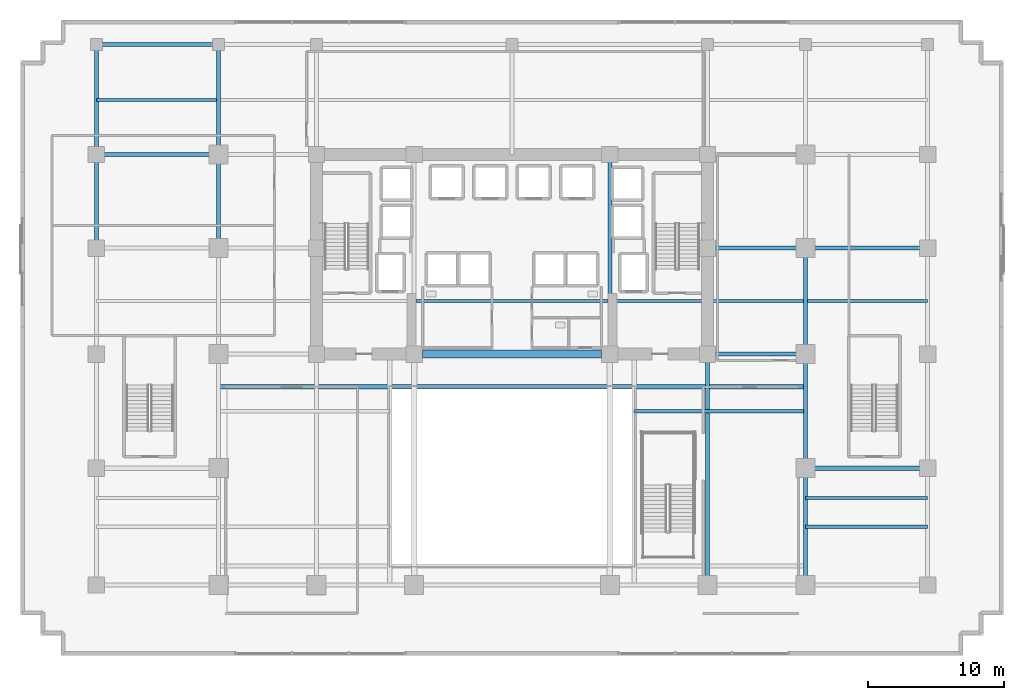
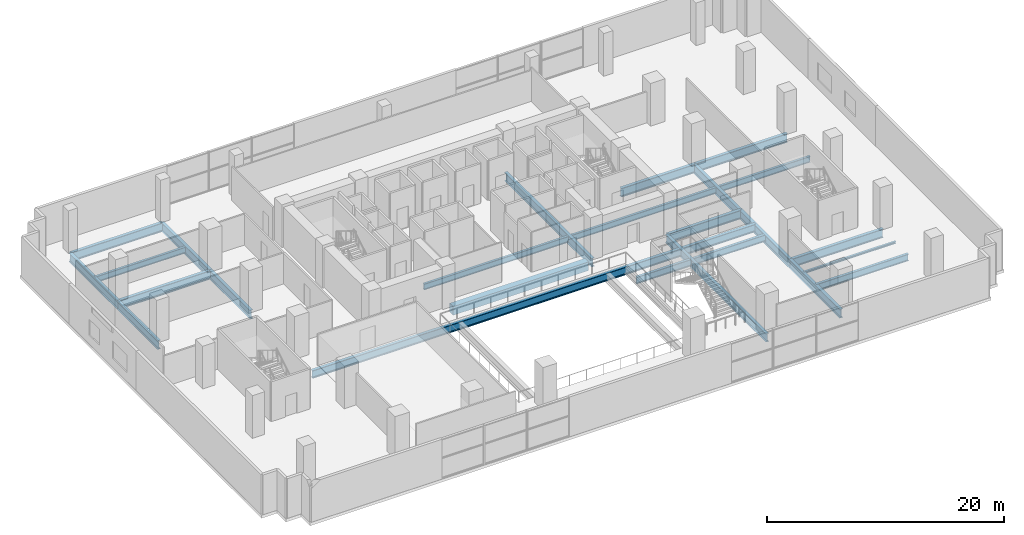
# One storey, part 7 of 21: 24 beams.
"""IFC4 building model written with IfcOpenShell, lengths in metres."""

from ifc_helpers import new_model, si_unit, direction, frame, origin, origin_2d, place, context, subcontext, project, spatial, rectangle, i_section, extrude, material, material_profile, profile_set, type_object, element, save


model = new_model("IFC4")

# Units and contexts
model_context = context("Model", 3, precision=1e-05, world=origin(), true_north=direction((0.0, 1.0)))
body_context = subcontext(model_context, "Body", "Model", "MODEL_VIEW")
ifc_project = project(units=[si_unit("LENGTHUNIT", "METRE"), si_unit("AREAUNIT", "SQUARE_METRE"), si_unit("VOLUMEUNIT", "CUBIC_METRE"), si_unit("PLANEANGLEUNIT", "RADIAN"), si_unit("MASSUNIT", "GRAM", prefix="KILO")], contexts=[model_context])

# Site, building, storey
site_placement = place(None, origin())
site = spatial("IfcSite", under=ifc_project, at=site_placement, CompositionType="ELEMENT")
building_placement = place(site_placement, origin())
building = spatial("IfcBuilding", under=site, at=building_placement, Name="Zarnakvel Exchange Tower", CompositionType="ELEMENT")
storey_placement = place(building_placement, frame((0.0, 0.0, 18.199951171875)))
storey = spatial("IfcBuildingStorey", under=building, at=storey_placement, Name="L04", CompositionType="ELEMENT", Elevation=18.199951171875)

# Beams
ifc_material_1 = material(Name="Steel S355", Category="steel")
ifc_material_profile_1 = material_profile(ifc_material_1, i_section(OverallWidth=0.255859375, OverallDepth=0.69287109375, WebThickness=0.014404296875, FlangeThickness=0.023681640625, FilletRadius=0.01513671875, at=origin_2d()))
ifc_profile_set_1 = profile_set([ifc_material_profile_1], Name="Steel S355")
beam_type_1 = type_object("IfcBeamType", Name="B-01", PredefinedType="JOIST", material=ifc_profile_set_1)
beam_1_placement = place(storey_placement, frame((21.60009765625, -13.89990234375, -0.646484375), z_axis=(1.0, 0.0, 0.0), x_axis=(0.0, 1.0, 0.0)))
element("IfcBeam", 1, at=beam_1_placement, inside=storey, type_object=beam_type_1, Name="L04 Podium Wing Secondary Joist East", PredefinedType="JOIST", context=body_context, shape_type="SweptSolid", body=[
    extrude(i_section(OverallWidth=0.255859375, OverallDepth=0.69287109375, WebThickness=0.014404296875, FlangeThickness=0.023681640625, FilletRadius=0.01513671875, at=origin_2d()), origin(), (0.0, 0.0, 1.0), 9.0),
])
beam_2_placement = place(storey_placement, frame((9.0, -5.39990234375, -0.646484375), z_axis=(1.0, 0.0, 0.0), x_axis=(0.0, 1.0, 0.0)))
element("IfcBeam", 2, at=beam_2_placement, inside=storey, type_object=beam_type_1, Name="L04 Exchange Hall Atrium Trimmer East", PredefinedType="JOIST", context=body_context, shape_type="SweptSolid", body=[
    extrude(i_section(OverallWidth=0.255859375, OverallDepth=0.69287109375, WebThickness=0.014404296875, FlangeThickness=0.023681640625, FilletRadius=0.01513671875, at=origin_2d()), origin(), (0.0, 0.0, 1.0), 12.60009765625),
])
ifc_material_profile_2 = material_profile(ifc_material_1, i_section(OverallWidth=0.230224609375, OverallDepth=0.6171875, WebThickness=0.01318359375, FlangeThickness=0.022216796875, FilletRadius=0.0126953125, at=origin_2d()))
ifc_profile_set_2 = profile_set([ifc_material_profile_2], Name="Steel S355")
beam_type_2 = type_object("IfcBeamType", Name="B-02", PredefinedType="JOIST", material=ifc_profile_set_2)
beam_3_placement = place(storey_placement, frame((-7.050048828125, 2.699951171875, -0.608642578125), z_axis=(1.0, 0.0, 0.0), x_axis=(0.0, 1.0, 0.0)))
element("IfcBeam", 3, at=beam_3_placement, inside=storey, type_object=beam_type_2, Name="L04 Secondary Floor Joist", PredefinedType="JOIST", context=body_context, shape_type="SweptSolid", body=[
    extrude(i_section(OverallWidth=0.230224609375, OverallDepth=0.6171875, WebThickness=0.01318359375, FlangeThickness=0.022216796875, FilletRadius=0.0126953125, at=origin_2d()), origin(), (0.0, 0.0, 1.0), 14.10009765625),
])
beam_4_placement = place(storey_placement, frame((7.35009765625, 2.699951171875, -0.608642578125), z_axis=(1.0, 0.0, 0.0), x_axis=(0.0, 1.0, 0.0)))
element("IfcBeam", 4, at=beam_4_placement, inside=storey, type_object=beam_type_2, Name="L04 Secondary Floor Joist", PredefinedType="JOIST", context=body_context, shape_type="SweptSolid", body=[
    extrude(i_section(OverallWidth=0.230224609375, OverallDepth=0.6171875, WebThickness=0.01318359375, FlangeThickness=0.022216796875, FilletRadius=0.0126953125, at=origin_2d()), origin(), (0.0, 0.0, 1.0), 14.099853515625),
])
for number, where, z_axis, x_axis, name in (
    (5, (21.75, 2.699951171875, -0.608642578125), (1.0, 0.0, 0.0), (0.0, 1.0, 0.0), "L04 Secondary Floor Joist"),
    (6, (-30.60009765625, 17.5, -0.608642578125), (1.0, 0.0, 0.0), (0.0, 1.0, 0.0), "L04 North Bay Secondary Floor Joist"),
):
    element("IfcBeam", number, at=place(storey_placement, frame(where, z_axis=z_axis, x_axis=x_axis)), inside=storey, type_object=beam_type_2, Name=name, PredefinedType="JOIST", context=body_context, shape_type="SweptSolid", body=[
        extrude(i_section(OverallWidth=0.230224609375, OverallDepth=0.6171875, WebThickness=0.01318359375, FlangeThickness=0.022216796875, FilletRadius=0.0126953125, at=origin_2d()), origin(), (0.0, 0.0, 1.0), 8.85009765625),
    ])
ifc_material_2 = material(Name="Concrete C80/95", Category="concrete")
ifc_material_profile_3 = material_profile(ifc_material_2, rectangle(XDim=0.60009765625, YDim=0.89990234375, at=origin_2d()))
ifc_profile_set_3 = profile_set([ifc_material_profile_3], Name="Concrete C80/95")
beam_type_3 = type_object("IfcBeamType", Name="CB-01", PredefinedType="LINTEL", material=ifc_profile_set_3)
beam_5_placement = place(storey_placement, frame((-6.60009765625, -1.199951171875, -0.75), z_axis=(1.0, 0.0, 0.0), x_axis=(0.0, 1.0, 0.0)))
element("IfcBeam", 7, at=beam_5_placement, inside=storey, type_object=beam_type_3, Name="L04 Rear Core South Coupling Beam (CB-01)", PredefinedType="LINTEL", context=body_context, shape_type="SweptSolid", body=[
    extrude(rectangle(XDim=0.60009765625, YDim=0.89990234375, at=origin_2d()), origin(), (0.0, 0.0, 1.0), 13.2001953125),
])
ifc_material_profile_4 = material_profile(ifc_material_1, i_section(OverallWidth=0.300048828125, OverallDepth=0.89990234375, WebThickness=0.0185546875, FlangeThickness=0.034912109375, FilletRadius=0.030029296875, at=origin_2d()))
ifc_profile_set_4 = profile_set([ifc_material_profile_4], Name="Steel S355")
beam_type_4 = type_object("IfcBeamType", Name="G-01", PredefinedType="BEAM", material=ifc_profile_set_4)
beam_6_placement = place(storey_placement, frame((21.60009765625, -9.60009765625, -0.75), z_axis=(1.0, 0.0, 0.0), x_axis=(0.0, 1.0, 0.0)))
element("IfcBeam", 8, at=beam_6_placement, inside=storey, type_object=beam_type_4, Name="L04 Primary E-W Girder Y=-9.6", PredefinedType="BEAM", context=body_context, shape_type="SweptSolid", body=[
    extrude(i_section(OverallWidth=0.300048828125, OverallDepth=0.89990234375, WebThickness=0.0185546875, FlangeThickness=0.034912109375, FilletRadius=0.030029296875, at=origin_2d()), origin(), (0.0, 0.0, 1.0), 9.0),
])
for number, where, z_axis, x_axis, name in (
    (9, (14.39990234375, -1.199951171875, -0.75), (1.0, 0.0, 0.0), (0.0, 1.0, 0.0), "L04 Primary E-W Girder Y=-1.2"),
    (10, (14.39990234375, 6.60009765625, -0.75), (1.0, 0.0, 0.0), (0.0, 1.0, 0.0), "L04 Primary E-W Girder Y=+6.6"),
):
    element("IfcBeam", number, at=place(storey_placement, frame(where, z_axis=z_axis, x_axis=x_axis)), inside=storey, type_object=beam_type_4, Name=name, PredefinedType="BEAM", context=body_context, shape_type="SweptSolid", body=[
        extrude(i_section(OverallWidth=0.300048828125, OverallDepth=0.89990234375, WebThickness=0.0185546875, FlangeThickness=0.034912109375, FilletRadius=0.030029296875, at=origin_2d()), origin(), (0.0, 0.0, 1.0), 7.2001953125),
    ])
for number, where, z_axis, x_axis, name in (
    (11, (21.60009765625, 6.60009765625, -0.75), (1.0, 0.0, 0.0), (0.0, 1.0, 0.0), "L04 Primary E-W Girder Y=+6.6"),
    (12, (-30.60009765625, 13.5, -0.75), (1.0, 0.0, 0.0), (0.0, 1.0, 0.0), "L04 Primary E-W Girder Y=+13.5"),
    (13, (-30.60009765625, 21.60009765625, -0.75), (1.0, 0.0, 0.0), (0.0, 1.0, 0.0), "L04 Primary E-W Girder Y=+21.6"),
):
    element("IfcBeam", number, at=place(storey_placement, frame(where, z_axis=z_axis, x_axis=x_axis)), inside=storey, type_object=beam_type_4, Name=name, PredefinedType="BEAM", context=body_context, shape_type="SweptSolid", body=[
        extrude(i_section(OverallWidth=0.300048828125, OverallDepth=0.89990234375, WebThickness=0.0185546875, FlangeThickness=0.034912109375, FilletRadius=0.030029296875, at=origin_2d()), origin(), (0.0, 0.0, 1.0), 9.0),
    ])
beam_7_placement = place(storey_placement, frame((-30.60009765625, 6.60009765625, -0.75), z_axis=(0.0, 1.0, 0.0), x_axis=(-1.0, 0.0, 0.0)))
element("IfcBeam", 14, at=beam_7_placement, inside=storey, type_object=beam_type_4, Name="L04 Primary N-S Girder X=-30.6", PredefinedType="BEAM", context=body_context, shape_type="SweptSolid", body=[
    extrude(i_section(OverallWidth=0.300048828125, OverallDepth=0.89990234375, WebThickness=0.0185546875, FlangeThickness=0.034912109375, FilletRadius=0.030029296875, at=origin_2d()), origin(), (0.0, 0.0, 1.0), 6.89990234375),
])
beam_8_placement = place(storey_placement, frame((-30.60009765625, 13.5, -0.75), z_axis=(0.0, 1.0, 0.0), x_axis=(-1.0, 0.0, 0.0)))
element("IfcBeam", 15, at=beam_8_placement, inside=storey, type_object=beam_type_4, Name="L04 Primary N-S Girder X=-30.6", PredefinedType="BEAM", context=body_context, shape_type="SweptSolid", body=[
    extrude(i_section(OverallWidth=0.300048828125, OverallDepth=0.89990234375, WebThickness=0.0185546875, FlangeThickness=0.034912109375, FilletRadius=0.030029296875, at=origin_2d()), origin(), (0.0, 0.0, 1.0), 8.10009765625),
])
beam_9_placement = place(storey_placement, frame((-21.60009765625, 6.60009765625, -0.75), z_axis=(0.0, 1.0, 0.0), x_axis=(-1.0, 0.0, 0.0)))
element("IfcBeam", 16, at=beam_9_placement, inside=storey, type_object=beam_type_4, Name="L04 Primary N-S Girder X=-21.6", PredefinedType="BEAM", context=body_context, shape_type="SweptSolid", body=[
    extrude(i_section(OverallWidth=0.300048828125, OverallDepth=0.89990234375, WebThickness=0.0185546875, FlangeThickness=0.034912109375, FilletRadius=0.030029296875, at=origin_2d()), origin(), (0.0, 0.0, 1.0), 6.89990234375),
])
beam_10_placement = place(storey_placement, frame((-21.60009765625, 13.5, -0.75), z_axis=(0.0, 1.0, 0.0), x_axis=(-1.0, 0.0, 0.0)))
element("IfcBeam", 17, at=beam_10_placement, inside=storey, type_object=beam_type_4, Name="L04 Primary N-S Girder X=-21.6", PredefinedType="BEAM", context=body_context, shape_type="SweptSolid", body=[
    extrude(i_section(OverallWidth=0.300048828125, OverallDepth=0.89990234375, WebThickness=0.0185546875, FlangeThickness=0.034912109375, FilletRadius=0.030029296875, at=origin_2d()), origin(), (0.0, 0.0, 1.0), 8.10009765625),
])
beam_11_placement = place(storey_placement, frame((7.199951171875, -1.199951171875, -0.75), z_axis=(0.0, 1.0, 0.0), x_axis=(-1.0, 0.0, 0.0)))
element("IfcBeam", 18, at=beam_11_placement, inside=storey, type_object=beam_type_4, Name="L04 Primary N-S Girder X=+7.2", PredefinedType="BEAM", context=body_context, shape_type="SweptSolid", body=[
    extrude(i_section(OverallWidth=0.300048828125, OverallDepth=0.89990234375, WebThickness=0.0185546875, FlangeThickness=0.034912109375, FilletRadius=0.030029296875, at=origin_2d()), origin(), (0.0, 0.0, 1.0), 14.699951171875),
])
beam_12_placement = place(storey_placement, frame((21.60009765625, -18.199951171875, -0.75), z_axis=(0.0, 1.0, 0.0), x_axis=(-1.0, 0.0, 0.0)))
element("IfcBeam", 19, at=beam_12_placement, inside=storey, type_object=beam_type_4, Name="L04 Primary N-S Girder X=+21.6", PredefinedType="BEAM", context=body_context, shape_type="SweptSolid", body=[
    extrude(i_section(OverallWidth=0.300048828125, OverallDepth=0.89990234375, WebThickness=0.0185546875, FlangeThickness=0.034912109375, FilletRadius=0.030029296875, at=origin_2d()), origin(), (0.0, 0.0, 1.0), 8.599853515625),
])
beam_13_placement = place(storey_placement, frame((21.60009765625, -9.60009765625, -0.75), z_axis=(0.0, 1.0, 0.0), x_axis=(-1.0, 0.0, 0.0)))
element("IfcBeam", 20, at=beam_13_placement, inside=storey, type_object=beam_type_4, Name="L04 Primary N-S Girder X=+21.6", PredefinedType="BEAM", context=body_context, shape_type="SweptSolid", body=[
    extrude(i_section(OverallWidth=0.300048828125, OverallDepth=0.89990234375, WebThickness=0.0185546875, FlangeThickness=0.034912109375, FilletRadius=0.030029296875, at=origin_2d()), origin(), (0.0, 0.0, 1.0), 8.400146484375),
])
beam_14_placement = place(storey_placement, frame((21.60009765625, -1.199951171875, -0.75), z_axis=(0.0, 1.0, 0.0), x_axis=(-1.0, 0.0, 0.0)))
element("IfcBeam", 21, at=beam_14_placement, inside=storey, type_object=beam_type_4, Name="L04 Primary N-S Girder X=+21.6", PredefinedType="BEAM", context=body_context, shape_type="SweptSolid", body=[
    extrude(i_section(OverallWidth=0.300048828125, OverallDepth=0.89990234375, WebThickness=0.0185546875, FlangeThickness=0.034912109375, FilletRadius=0.030029296875, at=origin_2d()), origin(), (0.0, 0.0, 1.0), 7.800048828125),
])
ifc_material_profile_5 = material_profile(ifc_material_1, i_section(OverallWidth=0.300048828125, OverallDepth=0.800048828125, WebThickness=0.017578125, FlangeThickness=0.032958984375, FilletRadius=0.030029296875, at=origin_2d()))
ifc_profile_set_5 = profile_set([ifc_material_profile_5], Name="Steel S355")
beam_type_5 = type_object("IfcBeamType", Name="G-02", PredefinedType="BEAM", material=ifc_profile_set_5)
beam_15_placement = place(storey_placement, frame((-21.60009765625, -3.60009765625, -0.699951171875), z_axis=(1.0, 0.0, 0.0), x_axis=(0.0, 1.0, 0.0)))
element("IfcBeam", 22, at=beam_15_placement, inside=storey, type_object=beam_type_5, Name="L04 Atrium North Edge Trimmer Girder", PredefinedType="BEAM", context=body_context, shape_type="SweptSolid", body=[
    extrude(i_section(OverallWidth=0.300048828125, OverallDepth=0.800048828125, WebThickness=0.017578125, FlangeThickness=0.032958984375, FilletRadius=0.030029296875, at=origin_2d()), origin(), (0.0, 0.0, 1.0), 43.2001953125),
])
ifc_material_profile_6 = material_profile(ifc_material_1, i_section(OverallWidth=0.199951171875, OverallDepth=0.199951171875, WebThickness=0.009033203125, FlangeThickness=0.014892578125, FilletRadius=0.01806640625, at=origin_2d()))
ifc_profile_set_6 = profile_set([ifc_material_profile_6], Name="Steel S355")
beam_type_6 = type_object("IfcBeamType", Name="LN-02", PredefinedType="LINTEL", material=ifc_profile_set_6)
beam_16_placement = place(storey_placement, frame((21.60009765625, -11.800048828125, -0.39990234375), z_axis=(1.0, 0.0, 0.0), x_axis=(0.0, 1.0, 0.0)))
element("IfcBeam", 23, at=beam_16_placement, inside=storey, type_object=beam_type_6, Name="L04 Concourse Gallery Opening Lintel East", PredefinedType="LINTEL", context=body_context, shape_type="SweptSolid", body=[
    extrude(i_section(OverallWidth=0.199951171875, OverallDepth=0.199951171875, WebThickness=0.009033203125, FlangeThickness=0.014892578125, FilletRadius=0.01806640625, at=origin_2d()), origin(), (0.0, 0.0, 1.0), 9.0),
])
ifc_material_profile_7 = material_profile(ifc_material_1, i_section(OverallWidth=0.293701171875, OverallDepth=0.850830078125, WebThickness=0.01611328125, FlangeThickness=0.02685546875, FilletRadius=0.017822265625, at=origin_2d()))
ifc_profile_set_7 = profile_set([ifc_material_profile_7], Name="Steel S355")
beam_type_7 = type_object("IfcBeamType", Name="TB-02", PredefinedType="T_BEAM", material=ifc_profile_set_7)
beam_17_placement = place(storey_placement, frame((14.39990234375, -18.199951171875, -0.725341796875), z_axis=(0.0, 1.0, 0.0), x_axis=(-1.0, 0.0, 0.0)))
element("IfcBeam", 24, at=beam_17_placement, inside=storey, type_object=beam_type_7, Name="L04 Primary N-S Girder X=+14.4", PredefinedType="T_BEAM", context=body_context, shape_type="SweptSolid", body=[
    extrude(i_section(OverallWidth=0.293701171875, OverallDepth=0.850830078125, WebThickness=0.01611328125, FlangeThickness=0.02685546875, FilletRadius=0.017822265625, at=origin_2d()), origin(), (0.0, 0.0, 1.0), 17.0),
])

save(model, "model.ifc")
